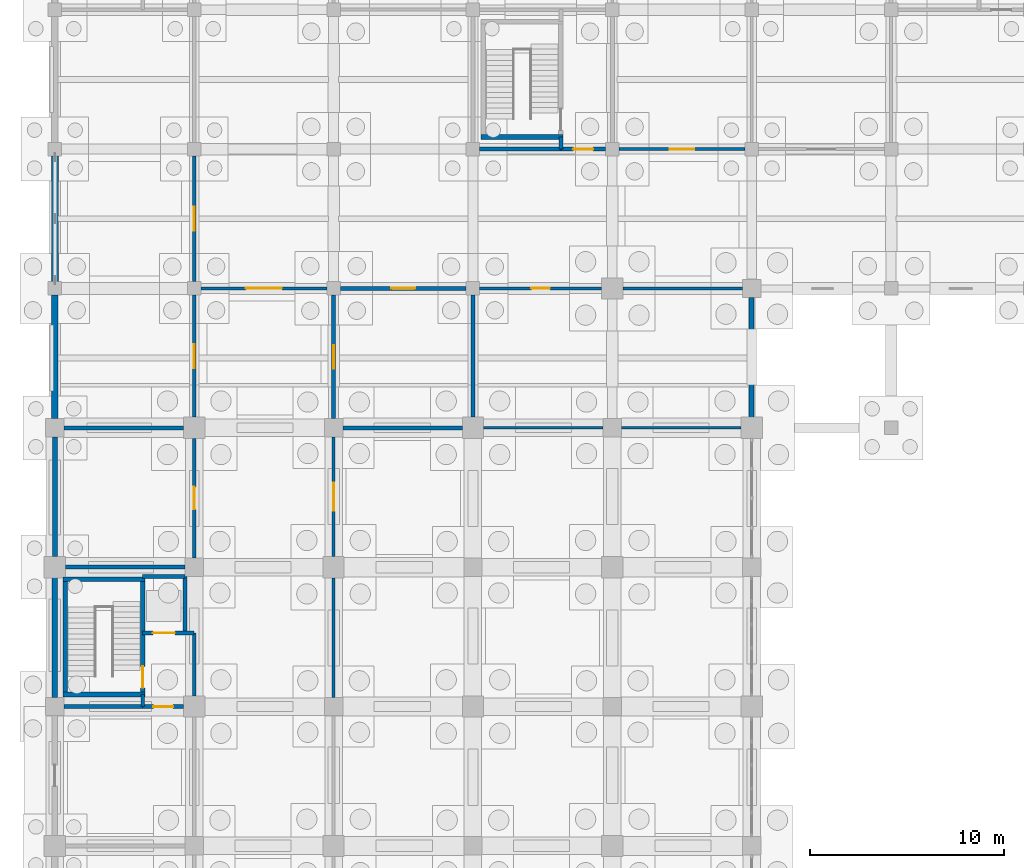
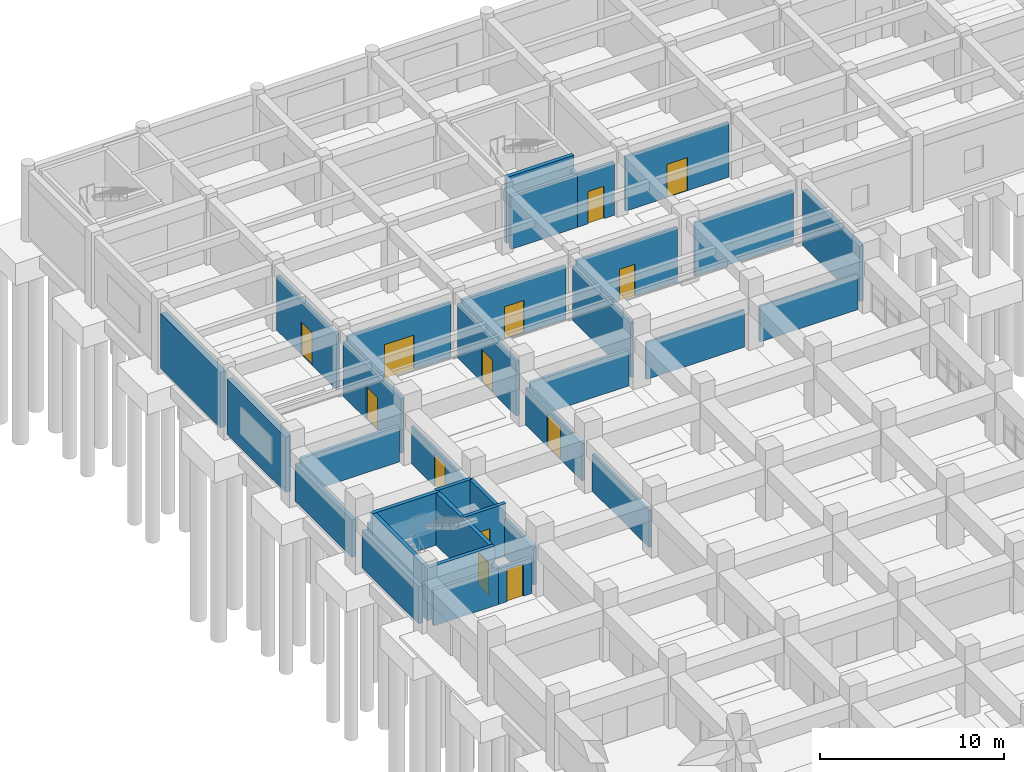
# One storey, part 61 of 79: 37 walls, 13 doors, 13 openings.
"""IFC4 building model written with IfcOpenShell, lengths in metres."""

import ifcopenshell
import ifcopenshell.guid

model = None  # the IFC model being written
_history = None  # IfcOwnerHistory: only IFC2X3 demands one
_inside = {}  # id of a spatial element -> (the spatial element, [elements in it])
_under = {}  # id of a project, library or spatial element -> (it, [spatial elements below it])
_declared = {}  # id of a project -> (the project, [libraries it declares])
_typed = {}  # id of a type object -> (the type object, [elements of that type])
_made_of = {}  # id of a material, layer set ... -> (it, [elements and type objects made of it])


def new_model(schema):
    """Start an empty IFC model of exactly this schema.

    Asked for "IFC4X3", IfcOpenShell would pick the latest addendum, in which some entities
    have other attributes; the version numbers below select the first issue.
    IFC2X3 requires an IfcOwnerHistory on every rooted entity: one is made here for all.
    """
    global model, _history
    if schema == "IFC4X3":
        model = ifcopenshell.file(schema_version=(4, 3, 0, 0))
    else:
        model = ifcopenshell.file(schema=schema)
    _inside.clear()
    _under.clear()
    _declared.clear()
    _typed.clear()
    _made_of.clear()
    _history = None
    if model.schema == "IFC2X3":
        org = make("IfcOrganization", Name="unknown")
        user = make(
            "IfcPersonAndOrganization",
            ThePerson=make("IfcPerson", FamilyName="unknown"),
            TheOrganization=org,
        )
        app = make(
            "IfcApplication",
            ApplicationDeveloper=org,
            Version="unknown",
            ApplicationFullName="unknown",
            ApplicationIdentifier="unknown",
        )
        _history = make(
            "IfcOwnerHistory",
            OwningUser=user,
            OwningApplication=app,
            ChangeAction="ADDED",
            CreationDate=0,
        )
    return model


def make(cls, **values):
    """One entity of the class cls with the attributes given. An attribute that is None is left unset."""
    return model.create_entity(
        cls, **{name: value for name, value in values.items() if value is not None}
    )


def rooted(cls, **values):
    """An entity with a GlobalId (a new one), such as an element, a storey or a relation."""
    return make(cls, GlobalId=ifcopenshell.guid.new(), OwnerHistory=_history, **values)


def si_unit(unit_type, name, prefix=None):
    """IfcSIUnit, for example si_unit("LENGTHUNIT", "METRE", prefix="MILLI")."""
    return make("IfcSIUnit", UnitType=unit_type, Prefix=prefix, Name=name)


def assignment(units):
    """IfcUnitAssignment: the units of a project."""
    return None if units is None else make("IfcUnitAssignment", Units=units)


def point(xyz):
    """IfcCartesianPoint."""
    return None if xyz is None else make("IfcCartesianPoint", Coordinates=xyz)


def direction(xyz):
    """IfcDirection."""
    return None if xyz is None else make("IfcDirection", DirectionRatios=xyz)


def frame(location, z_axis=None, x_axis=None):
    """IfcAxis2Placement3D, a coordinate frame: its origin and axes. An axis left out is left unset."""
    return make(
        "IfcAxis2Placement3D",
        Location=point(location),
        Axis=direction(z_axis),
        RefDirection=direction(x_axis),
    )


def frame_2d(location, x_axis=None):
    """IfcAxis2Placement2D, a coordinate frame in the plane: its origin and x axis."""
    return make(
        "IfcAxis2Placement2D", Location=point(location), RefDirection=direction(x_axis)
    )


def origin():
    """The frame at (0, 0, 0) with its axes left unset."""
    return frame((0.0, 0.0, 0.0))


def place(relative_to, where):
    """IfcLocalPlacement: puts the frame where relative to a parent placement (None: the world)."""
    return make(
        "IfcLocalPlacement", PlacementRelTo=relative_to, RelativePlacement=where
    )


def context(
    kind, dimensions, precision=None, world=None, true_north=None, identifier=None
):
    """IfcGeometricRepresentationContext, for example the 3D "Model" context."""
    return make(
        "IfcGeometricRepresentationContext",
        ContextIdentifier=identifier,
        ContextType=kind,
        CoordinateSpaceDimension=dimensions,
        Precision=precision,
        WorldCoordinateSystem=world,
        TrueNorth=true_north,
    )


def subcontext(parent, identifier, kind, view, scale=None):
    """IfcGeometricRepresentationSubContext, for example "Body" below "Model"."""
    return make(
        "IfcGeometricRepresentationSubContext",
        ContextIdentifier=identifier,
        ContextType=kind,
        ParentContext=parent,
        TargetScale=scale,
        TargetView=view,
    )


def project(units=None, contexts=None):
    """IfcProject with its units and contexts."""
    return rooted(
        "IfcProject",
        Name="project",
        RepresentationContexts=contexts,
        UnitsInContext=assignment(units),
    )


def spatial(cls, under=None, at=None, **own):
    """A site, building, storey or space (cls), placed at a placement, below another one or the project."""
    s = rooted(cls, ObjectPlacement=at, **own)
    if under is not None:
        _under.setdefault(under.id(), (under, []))[1].append(s)
    return s


def profile(cls, at=None, kind="AREA", **sizes):
    """A parametric profile (cls). Its sizes go by their IFC names, for example OverallWidth=200.0."""
    return make(cls, ProfileType=kind, Position=at, **sizes)


def rectangle(**sizes):
    """IfcRectangleProfileDef."""
    return profile("IfcRectangleProfileDef", **sizes)


def extrude(swept, where, along, depth):
    """IfcExtrudedAreaSolid: the profile swept, set in the frame where, extruded along a direction by depth."""
    return make(
        "IfcExtrudedAreaSolid",
        SweptArea=swept,
        Position=where,
        ExtrudedDirection=direction(along),
        Depth=depth,
    )


def shape(context_of_items, identifier, shape_type, items):
    """IfcShapeRepresentation: the items that make up one representation, for example the "Body"."""
    return make(
        "IfcShapeRepresentation",
        ContextOfItems=context_of_items,
        RepresentationIdentifier=identifier,
        RepresentationType=shape_type,
        Items=items,
    )


def material(Name=None, Category=None):
    """IfcMaterial."""
    return make("IfcMaterial", Name=Name, Category=Category)


def layer(
    of_material, thickness, ventilated=None, Name=None, Category=None, Priority=None
):
    """IfcMaterialLayer: one layer of a wall or slab, of a material (None: an air gap)."""
    return make(
        "IfcMaterialLayer",
        Material=of_material,
        LayerThickness=thickness,
        IsVentilated=ventilated,
        Name=Name,
        Category=Category,
        Priority=Priority,
    )


def layer_set(layers, Name=None):
    """IfcMaterialLayerSet."""
    return make("IfcMaterialLayerSet", MaterialLayers=layers, LayerSetName=Name)


def made_of(thing, what):
    """Note that an element or type object is made of a material, layer set ...; save() writes the relation."""
    if what is not None:
        _made_of.setdefault(what.id(), (what, []))[1].append(thing)
    return thing


def type_object(cls, material=None, **own):
    """A type object (cls), such as IfcWallType, which elements share."""
    return made_of(rooted(cls, **own), material)


def element(
    cls,
    number,
    at=None,
    inside=None,
    cuts=None,
    type_object=None,
    material=None,
    context=None,
    identifier="Body",
    shape_type=None,
    held_by="IfcProductDefinitionShape",
    body=None,
    shapes=None,
    **own,
):
    """One element of the class cls, such as IfcWall. Its Tag is "e" and its number.

    at: its placement. inside: the storey or other place that contains it. cuts: it is an
    opening in that element (IfcRelVoidsElement). A single representation is given by context,
    identifier, shape_type and body (its items); several are given by shapes. held_by: the class
    of the entity that holds the representations. save() writes the other relations.
    """
    e = rooted(cls, Tag="e%d" % number, ObjectPlacement=at, **own)
    if body is not None:
        shapes = [shape(context, identifier, shape_type, body)]
    if shapes is not None:
        e.Representation = make(held_by, Representations=shapes)
    if inside is not None:
        _inside.setdefault(inside.id(), (inside, []))[1].append(e)
    if cuts is not None:
        rooted(
            "IfcRelVoidsElement", RelatingBuildingElement=cuts, RelatedOpeningElement=e
        )
    if type_object is not None:
        _typed.setdefault(type_object.id(), (type_object, []))[1].append(e)
    return made_of(e, material)


def fill(opening, filler):
    """IfcRelFillsElement: the door or window that sits in an opening."""
    return rooted(
        "IfcRelFillsElement",
        RelatingOpeningElement=opening,
        RelatedBuildingElement=filler,
    )


def aggregate(whole, parts):
    """IfcRelAggregates: a whole, such as a stair, and the parts it consists of."""
    return rooted("IfcRelAggregates", RelatingObject=whole, RelatedObjects=parts)


def save(model, path):
    """Write the relations noted so far, then the file.

    IfcRelAggregates (storeys below a building ...), IfcRelContainedInSpatialStructure (elements
    in a storey), IfcRelDefinesByType, IfcRelAssociatesMaterial and IfcRelDeclares: one each for
    every whole, place, type object, material and project.
    """
    for whole, parts in _under.values():
        aggregate(whole, parts)
    for where, things in _inside.values():
        rooted(
            "IfcRelContainedInSpatialStructure",
            RelatedElements=things,
            RelatingStructure=where,
        )
    for kind, things in _typed.values():
        rooted("IfcRelDefinesByType", RelatedObjects=things, RelatingType=kind)
    for what, things in _made_of.values():
        rooted("IfcRelAssociatesMaterial", RelatedObjects=things, RelatingMaterial=what)
    for by, libraries in _declared.values():
        rooted("IfcRelDeclares", RelatingContext=by, RelatedDefinitions=libraries)
    model.write(path)


model = new_model("IFC4")

# Units and contexts
model_context = context("Model", 3, precision=1e-05, world=origin(), true_north=direction((0.0, 1.0)))
body_context = subcontext(model_context, "Body", "Model", "MODEL_VIEW")
ifc_project = project(units=[si_unit("LENGTHUNIT", "METRE"), si_unit("AREAUNIT", "SQUARE_METRE"), si_unit("VOLUMEUNIT", "CUBIC_METRE"), si_unit("PLANEANGLEUNIT", "RADIAN"), si_unit("MASSUNIT", "GRAM", prefix="KILO")], contexts=[model_context])

# Site, building, storey
site_placement = place(None, origin())
site = spatial("IfcSite", under=ifc_project, at=site_placement, CompositionType="ELEMENT")
building_placement = place(site_placement, origin())
building = spatial("IfcBuilding", under=site, at=building_placement, Name="Kavelor Marine Aquarium", CompositionType="ELEMENT")
storey_placement = place(building_placement, origin())
storey = spatial("IfcBuildingStorey", under=building, at=storey_placement, Name="L00", CompositionType="ELEMENT", Elevation=0.0)

# Walls
ifc_material_1 = material(Name="Concrete C45/55", Category="concrete")
ifc_layer_1 = layer(ifc_material_1, 0.360107421875)
ifc_layer_set_1 = layer_set([ifc_layer_1], Name="WL-EX1")
wall_type_1 = type_object("IfcWallType", Name="WL-EX1", PredefinedType="STANDARD", material=ifc_layer_set_1)
wall_1_placement = place(storey_placement, frame((3.199951171875, 89.544921875, 0.0), z_axis=(0.0, 0.0, 1.0), x_axis=(0.0, 1.0, 0.0)))
element("IfcWall", 1, at=wall_1_placement, inside=storey, type_object=wall_type_1, Name="ew:y:L00:00_12", PredefinedType="STANDARD", context=body_context, shape_type="SweptSolid", body=[
    extrude(rectangle(XDim=6.510009765625, YDim=0.360107421875, at=frame_2d((3.2548828125, 0.0))), origin(), (0.0, 0.0, 1.0), 3.669921875),
])
ifc_material_2 = material(Name="Concrete C40/50", Category="concrete")
ifc_layer_2 = layer(ifc_material_2, 0.280029296875)
ifc_layer_set_2 = layer_set([ifc_layer_2], Name="WL-EX4")
wall_type_2 = type_object("IfcWallType", Name="WL-EX4", PredefinedType="STANDARD", material=ifc_layer_set_2)
wall_2_placement = place(storey_placement, frame((3.199951171875, 68.070068359375, 0.0), z_axis=(0.0, 0.0, 1.0), x_axis=(0.0, 1.0, 0.0)))
element("IfcWall", 2, at=wall_2_placement, inside=storey, type_object=wall_type_2, Name="ew:y:L00:00_09", PredefinedType="STANDARD", context=body_context, shape_type="SweptSolid", body=[
    extrude(rectangle(XDim=6.184814453125, YDim=0.280029296875, at=frame_2d((3.09228515625, 0.0))), origin(), (0.0, 0.0, 1.0), 2.469970703125),
])
ifc_material_3 = material(Name="Concrete C40/50", Category="concrete")
ifc_layer_3 = layer(ifc_material_3, 0.260009765625)
ifc_layer_set_3 = layer_set([ifc_layer_3], Name="WL-EX5")
wall_type_3 = type_object("IfcWallType", Name="WL-EX5", PredefinedType="STANDARD", material=ifc_layer_set_3)
wall_3_placement = place(storey_placement, frame((3.199951171875, 75.344970703125, 0.0), z_axis=(0.0, 0.0, 1.0), x_axis=(0.0, 1.0, 0.0)))
element("IfcWall", 3, at=wall_3_placement, inside=storey, type_object=wall_type_3, Name="ew:y:L00:00_10", PredefinedType="STANDARD", context=body_context, shape_type="SweptSolid", body=[
    extrude(rectangle(XDim=6.18505859375, YDim=0.260009765625, at=frame_2d((3.092529296875, 0.0))), origin(), (0.0, 0.0, 1.0), 2.469970703125),
])
wall_4_placement = place(storey_placement, frame((39.199951171875, 88.72998046875, 0.0), z_axis=(0.0, 0.0, 1.0), x_axis=(0.0, -1.0, 0.0)))
element("IfcWall", 4, at=wall_4_placement, inside=storey, type_object=wall_type_3, Name="ew:y:L00:05_11", PredefinedType="STANDARD", context=body_context, shape_type="SweptSolid", body=[
    extrude(rectangle(XDim=6.18505859375, YDim=0.260009765625, at=frame_2d((3.092529296875, 0.0))), origin(), (0.0, 0.0, 1.0), 3.669921875),
])
ifc_material_4 = material(Name="Concrete C45/55", Category="concrete")
ifc_layer_4 = layer(ifc_material_4, 0.340087890625)
ifc_layer_set_4 = layer_set([ifc_layer_4], Name="WL-EX6")
wall_type_4 = type_object("IfcWallType", Name="WL-EX6", PredefinedType="STANDARD", material=ifc_layer_set_4)
wall_5_placement = place(storey_placement, frame((3.199951171875, 82.469970703125, 0.0), z_axis=(0.0, 0.0, 1.0), x_axis=(0.0, 1.0, 0.0)))
element("IfcWall", 5, at=wall_5_placement, inside=storey, type_object=wall_type_4, Name="ew:y:L00:00_11", PredefinedType="STANDARD", context=body_context, shape_type="SweptSolid", body=[
    extrude(rectangle(XDim=6.385009765625, YDim=0.340087890625, at=frame_2d((3.1923828125, 0.0))), origin(), (0.0, 0.0, 1.0), 3.669921875),
])
ifc_material_5 = material(Name="Concrete Blockwork Partition", Category="masonry")
ifc_layer_5 = layer(ifc_material_5, 0.199951171875)
ifc_layer_set_5 = layer_set([ifc_layer_5], Name="WL-PT1")
wall_type_5 = type_object("IfcWallType", Name="WL-PT1", PredefinedType="PARTITIONING", material=ifc_layer_set_5)
wall_6_placement = place(storey_placement, frame((29.340087890625, 96.39990234375, 0.0), z_axis=(0.0, 0.0, 1.0), x_axis=(0.0, 1.0, 0.0)))
element("IfcWall", 6, at=wall_6_placement, inside=storey, type_object=wall_type_5, Name="pt:st_close:s:C02:L00", PredefinedType="PARTITIONING", context=body_context, shape_type="SweptSolid", body=[
    extrude(rectangle(XDim=0.6201171875, YDim=0.199951171875, at=frame_2d((0.31005859375, 0.0))), origin(), (0.0, 0.0, 1.0), 3.52001953125),
])
wall_7_placement = place(storey_placement, frame((25.14990234375, 96.39990234375, 0.0), z_axis=(0.0, 0.0, 1.0), x_axis=(1.0, 0.0, 0.0)))
element("IfcWall", 7, at=wall_7_placement, inside=storey, type_object=wall_type_5, Name="pt:lob:C02:L00:s_st", PredefinedType="PARTITIONING", context=body_context, shape_type="SweptSolid", body=[
    extrude(rectangle(XDim=4.190185546875, YDim=0.199951171875, at=frame_2d((2.09521484375, 0.0))), origin(), (0.0, 0.0, 1.0), 3.52001953125),
])

# Wall, opening, door
wall_8_placement = place(storey_placement, frame((29.340087890625, 96.39990234375, 0.0), z_axis=(0.0, 0.0, 1.0), x_axis=(1.0, 0.0, 0.0)))
wall_8 = element("IfcWall", 8, at=wall_8_placement, inside=storey, type_object=wall_type_5, Name="pt:lob:C02:L00:s", PredefinedType="PARTITIONING", context=body_context, shape_type="SweptSolid", body=[
    extrude(rectangle(XDim=2.309814453125, YDim=0.199951171875, at=frame_2d((1.15478515625, 0.0))), origin(), (0.0, 0.0, 1.0), 3.52001953125),
])
opening_1_placement = place(wall_8_placement, frame((0.64501953125, 0.0, 0.0)))
opening_1 = element("IfcOpeningElement", 9, at=opening_1_placement, cuts=wall_8, Name="Opening SD1", PredefinedType="OPENING", context=body_context, shape_type="SweptSolid", body=[
    extrude(rectangle(XDim=1.02001953125, YDim=2.14990234375, at=frame_2d((0.510009765625, 1.074951171875))), frame((0.0, 0.10986328125, 0.0), z_axis=(0.0, -1.0, 0.0), x_axis=(1.0, 0.0, 0.0)), (0.0, 0.0, 1.0), 0.219951),
])
ifc_material_6 = material(Name="Fire-Rated Corridor Compartment Door")
door_type_1 = type_object("IfcDoorType", Name="DR-SD1", OperationType="NOTDEFINED", PredefinedType="DOOR", material=ifc_material_6)
door_1_placement = place(opening_1_placement, origin())
door_1 = element("IfcDoor", 10, at=door_1_placement, inside=storey, type_object=door_type_1, Name="Core Lobby Fire Door C02-L00", OperationType="SINGLE_SWING_RIGHT", OverallHeight=2.14990234375, OverallWidth=1.02001953125, PredefinedType="DOOR", context=body_context, shape_type="SweptSolid", body=[
    extrude(rectangle(XDim=1.02001953125, YDim=2.14990234375, at=frame_2d((0.510009765625, 1.074951171875))), frame((0.0, 0.02490234375, 0.0), z_axis=(0.0, -1.0, 0.0), x_axis=(1.0, 0.0, 0.0)), (0.0, 0.0, 1.0), 0.050048828125),
])
fill(opening_1, door_1)

# Walls
wall_9_placement = place(storey_placement, frame((7.739990234375, 67.60009765625, 0.0), z_axis=(0.0, 0.0, 1.0), x_axis=(0.0, 1.0, 0.0)))
element("IfcWall", 11, at=wall_9_placement, inside=storey, type_object=wall_type_5, Name="pt:st_close:s:C03:L00", PredefinedType="PARTITIONING", context=body_context, shape_type="SweptSolid", body=[
    extrude(rectangle(XDim=0.619873046875, YDim=0.199951171875, at=frame_2d((0.31005859375, 0.0))), origin(), (0.0, 0.0, 1.0), 2.3701171875),
])
wall_10_placement = place(storey_placement, frame((10.39990234375, 68.14990234375, 0.0), z_axis=(0.0, 0.0, 1.0), x_axis=(0.0, 1.0, 0.0)))
element("IfcWall", 12, at=wall_10_placement, inside=storey, type_object=wall_type_5, Name="pt:lob:C03:L00:e", PredefinedType="PARTITIONING", context=body_context, shape_type="SweptSolid", body=[
    extrude(rectangle(XDim=3.25, YDim=0.199951171875, at=frame_2d((1.625, 0.0))), origin(), (0.0, 0.0, 1.0), 2.469970703125),
])
wall_11_placement = place(storey_placement, frame((3.675048828125, 67.60009765625, 0.0), z_axis=(0.0, 0.0, 1.0), x_axis=(1.0, 0.0, 0.0)))
element("IfcWall", 13, at=wall_11_placement, inside=storey, type_object=wall_type_5, Name="pt:lob:C03:L00:s_st", PredefinedType="PARTITIONING", context=body_context, shape_type="SweptSolid", body=[
    extrude(rectangle(XDim=4.06494140625, YDim=0.199951171875, at=frame_2d((2.032470703125, 0.0))), origin(), (0.0, 0.0, 1.0), 2.3701171875),
])

# Wall, opening, door
wall_12_placement = place(storey_placement, frame((7.739990234375, 67.60009765625, 0.0), z_axis=(0.0, 0.0, 1.0), x_axis=(1.0, 0.0, 0.0)))
wall_12 = element("IfcWall", 14, at=wall_12_placement, inside=storey, type_object=wall_type_5, Name="pt:lob:C03:L00:s", PredefinedType="PARTITIONING", context=body_context, shape_type="SweptSolid", body=[
    extrude(rectangle(XDim=2.110107421875, YDim=0.199951171875, at=frame_2d((1.05517578125, 0.0))), origin(), (0.0, 0.0, 1.0), 2.3701171875),
])
opening_2_placement = place(wall_12_placement, frame((0.544921875, 0.0, 0.0)))
opening_2 = element("IfcOpeningElement", 15, at=opening_2_placement, cuts=wall_12, Name="Opening SD1", PredefinedType="OPENING", context=body_context, shape_type="SweptSolid", body=[
    extrude(rectangle(XDim=1.02001953125, YDim=2.14990234375, at=frame_2d((0.510009765625, 1.074951171875))), frame((0.0, 0.10986328125, 0.0), z_axis=(0.0, -1.0, 0.0), x_axis=(1.0, 0.0, 0.0)), (0.0, 0.0, 1.0), 0.219951),
])
door_2_placement = place(opening_2_placement, origin())
door_2 = element("IfcDoor", 16, at=door_2_placement, inside=storey, type_object=door_type_1, Name="Core Lobby Fire Door C03-L00", OperationType="SINGLE_SWING_RIGHT", OverallHeight=2.14990234375, OverallWidth=1.02001953125, PredefinedType="DOOR", context=body_context, shape_type="SweptSolid", body=[
    extrude(rectangle(XDim=1.02001953125, YDim=2.14990234375, at=frame_2d((0.510009765625, 1.074951171875))), frame((0.0, 0.02490234375, 0.0), z_axis=(0.0, -1.0, 0.0), x_axis=(1.0, 0.0, 0.0)), (0.0, 0.0, 1.0), 0.050048828125),
])
fill(opening_2, door_2)

# Walls
for number, where, z_axis, x_axis, name in (
    (17, (3.75, 74.800048828125, 0.0), (0.0, 0.0, 1.0), (1.0, 0.0, 0.0), "pt:lob:C03:L00:n_full"),
    (18, (3.675048828125, 82.0, 0.0), (0.0, 0.0, 1.0), (1.0, 0.0, 0.0), "pt:x:L00:00_10"),
):
    element("IfcWall", number, at=place(storey_placement, frame(where, z_axis=z_axis, x_axis=x_axis)), inside=storey, type_object=wall_type_5, Name=name, PredefinedType="PARTITIONING", context=body_context, shape_type="SweptSolid", body=[
        extrude(rectangle(XDim=6.175048828125, YDim=0.199951171875, at=frame_2d((3.08740234375, 0.0))), origin(), (0.0, 0.0, 1.0), 2.3701171875),
    ])

# Wall, opening, door
wall_13_placement = place(storey_placement, frame((10.39990234375, 82.550048828125, 0.0), z_axis=(0.0, 0.0, 1.0), x_axis=(0.0, 1.0, 0.0)))
wall_13 = element("IfcWall", 19, at=wall_13_placement, inside=storey, type_object=wall_type_5, Name="pt:y:L00:00_11", PredefinedType="PARTITIONING", context=body_context, shape_type="SweptSolid", body=[
    extrude(rectangle(XDim=6.300048828125, YDim=0.199951171875, at=frame_2d((3.14990234375, 0.0))), origin(), (0.0, 0.0, 1.0), 3.6201171875),
])
opening_3_placement = place(wall_13_placement, frame((2.5400390625, 0.0, 0.0)))
opening_3 = element("IfcOpeningElement", 20, at=opening_3_placement, cuts=wall_13, Name="Opening D06", PredefinedType="OPENING", context=body_context, shape_type="SweptSolid", body=[
    extrude(rectangle(XDim=1.219970703125, YDim=2.159912109375, at=frame_2d((0.60986328125, 1.080078125))), frame((0.0, 0.10986328125, 0.0), z_axis=(0.0, -1.0, 0.0), x_axis=(1.0, 0.0, 0.0)), (0.0, 0.0, 1.0), 0.219951),
])
ifc_material_7 = material(Name="Biosecure Quarantine Plant Room Door")
door_type_2 = type_object("IfcDoorType", Name="DR-D06", OperationType="NOTDEFINED", PredefinedType="DOOR", material=ifc_material_7)
door_3_placement = place(opening_3_placement, origin())
door_3 = element("IfcDoor", 21, at=door_3_placement, inside=storey, type_object=door_type_2, Name="dr:rm:pt:y:L00:00_11:0", OperationType="SINGLE_SWING_LEFT", OverallHeight=2.159912109375, OverallWidth=1.219970703125, PredefinedType="DOOR", context=body_context, shape_type="SweptSolid", body=[
    extrude(rectangle(XDim=1.219970703125, YDim=2.159912109375, at=frame_2d((0.60986328125, 1.080078125))), frame((0.0, 0.02490234375, 0.0), z_axis=(0.0, -1.0, 0.0), x_axis=(1.0, 0.0, 0.0)), (0.0, 0.0, 1.0), 0.050048828125),
])
fill(opening_3, door_3)

wall_14_placement = place(storey_placement, frame((10.39990234375, 89.550048828125, 0.0), z_axis=(0.0, 0.0, 1.0), x_axis=(0.0, 1.0, 0.0)))
wall_14 = element("IfcWall", 22, at=wall_14_placement, inside=storey, type_object=wall_type_5, Name="pt:y:L00:00_12", PredefinedType="PARTITIONING", context=body_context, shape_type="SweptSolid", body=[
    extrude(rectangle(XDim=6.5, YDim=0.199951171875, at=frame_2d((3.25, 0.0))), origin(), (0.0, 0.0, 1.0), 3.6201171875),
])
opening_4_placement = place(wall_14_placement, frame((2.639892578125, 0.0, 0.0)))
opening_4 = element("IfcOpeningElement", 23, at=opening_4_placement, cuts=wall_14, Name="Opening D06", PredefinedType="OPENING", context=body_context, shape_type="SweptSolid", body=[
    extrude(rectangle(XDim=1.219970703125, YDim=2.159912109375, at=frame_2d((0.60986328125, 1.080078125))), frame((0.0, 0.10986328125, 0.0), z_axis=(0.0, -1.0, 0.0), x_axis=(1.0, 0.0, 0.0)), (0.0, 0.0, 1.0), 0.219951),
])
door_4_placement = place(opening_4_placement, origin())
door_4 = element("IfcDoor", 24, at=door_4_placement, inside=storey, type_object=door_type_2, Name="dr:rm:pt:y:L00:00_12:0", OperationType="SINGLE_SWING_RIGHT", OverallHeight=2.159912109375, OverallWidth=1.219970703125, PredefinedType="DOOR", context=body_context, shape_type="SweptSolid", body=[
    extrude(rectangle(XDim=1.219970703125, YDim=2.159912109375, at=frame_2d((0.60986328125, 1.080078125))), frame((0.0, 0.02490234375, 0.0), z_axis=(0.0, -1.0, 0.0), x_axis=(1.0, 0.0, 0.0)), (0.0, 0.0, 1.0), 0.050048828125),
])
fill(opening_4, door_4)

wall_15_placement = place(storey_placement, frame((17.60009765625, 82.47509765625, 0.0), z_axis=(0.0, 0.0, 1.0), x_axis=(0.0, 1.0, 0.0)))
wall_15 = element("IfcWall", 25, at=wall_15_placement, inside=storey, type_object=wall_type_5, Name="pt:y:L00:01_11", PredefinedType="PARTITIONING", context=body_context, shape_type="SweptSolid", body=[
    extrude(rectangle(XDim=6.375, YDim=0.199951171875, at=frame_2d((3.1875, 0.0))), origin(), (0.0, 0.0, 1.0), 3.6201171875),
])
opening_5_placement = place(wall_15_placement, frame((2.577392578125, 0.0, 0.0)))
opening_5 = element("IfcOpeningElement", 26, at=opening_5_placement, cuts=wall_15, Name="Opening D06", PredefinedType="OPENING", context=body_context, shape_type="SweptSolid", body=[
    extrude(rectangle(XDim=1.219970703125, YDim=2.159912109375, at=frame_2d((0.60986328125, 1.080078125))), frame((0.0, 0.10986328125, 0.0), z_axis=(0.0, -1.0, 0.0), x_axis=(1.0, 0.0, 0.0)), (0.0, 0.0, 1.0), 0.219951),
])
door_5_placement = place(opening_5_placement, origin())
door_5 = element("IfcDoor", 27, at=door_5_placement, inside=storey, type_object=door_type_2, Name="dr:rm:pt:y:L00:01_11:0", OperationType="SINGLE_SWING_LEFT", OverallHeight=2.159912109375, OverallWidth=1.219970703125, PredefinedType="DOOR", context=body_context, shape_type="SweptSolid", body=[
    extrude(rectangle(XDim=1.219970703125, YDim=2.159912109375, at=frame_2d((0.60986328125, 1.080078125))), frame((0.0, 0.02490234375, 0.0), z_axis=(0.0, -1.0, 0.0), x_axis=(1.0, 0.0, 0.0)), (0.0, 0.0, 1.0), 0.050048828125),
])
fill(opening_5, door_5)

# Walls
wall_16_placement = place(storey_placement, frame((18.074951171875, 82.0, 0.0), z_axis=(0.0, 0.0, 1.0), x_axis=(1.0, 0.0, 0.0)))
element("IfcWall", 28, at=wall_16_placement, inside=storey, type_object=wall_type_5, Name="pt:x:L00:02_10", PredefinedType="PARTITIONING", context=body_context, shape_type="SweptSolid", body=[
    extrude(rectangle(XDim=6.175048828125, YDim=0.199951171875, at=frame_2d((3.08740234375, 0.0))), origin(), (0.0, 0.0, 1.0), 2.3701171875),
])
wall_17_placement = place(storey_placement, frame((24.800048828125, 82.550048828125, 0.0), z_axis=(0.0, 0.0, 1.0), x_axis=(0.0, 1.0, 0.0)))
element("IfcWall", 29, at=wall_17_placement, inside=storey, type_object=wall_type_5, Name="pt:y:L00:02_11", PredefinedType="PARTITIONING", context=body_context, shape_type="SweptSolid", body=[
    extrude(rectangle(XDim=6.300048828125, YDim=0.199951171875, at=frame_2d((3.14990234375, 0.0))), origin(), (0.0, 0.0, 1.0), 3.6201171875),
])

# Wall, opening, door
wall_18_placement = place(storey_placement, frame((17.949951171875, 89.199951171875, 0.0), z_axis=(0.0, 0.0, 1.0), x_axis=(1.0, 0.0, 0.0)))
wall_18 = element("IfcWall", 30, at=wall_18_placement, inside=storey, type_object=wall_type_5, Name="pt:x:L00:02_11", PredefinedType="PARTITIONING", context=body_context, shape_type="SweptSolid", body=[
    extrude(rectangle(XDim=6.5, YDim=0.199951171875, at=frame_2d((3.25, 0.0))), origin(), (0.0, 0.0, 1.0), 3.52001953125),
])
opening_6_placement = place(wall_18_placement, frame((2.639892578125, 0.0, 0.0)))
opening_6 = element("IfcOpeningElement", 31, at=opening_6_placement, cuts=wall_18, Name="Opening D06", PredefinedType="OPENING", context=body_context, shape_type="SweptSolid", body=[
    extrude(rectangle(XDim=1.219970703125, YDim=2.159912109375, at=frame_2d((0.60986328125, 1.080078125))), frame((0.0, 0.10986328125, 0.0), z_axis=(0.0, -1.0, 0.0), x_axis=(1.0, 0.0, 0.0)), (0.0, 0.0, 1.0), 0.219951),
])
door_6_placement = place(opening_6_placement, origin())
door_6 = element("IfcDoor", 32, at=door_6_placement, inside=storey, type_object=door_type_2, Name="dr:rm:pt:x:L00:02_11:0", OperationType="SINGLE_SWING_RIGHT", OverallHeight=2.159912109375, OverallWidth=1.219970703125, PredefinedType="DOOR", context=body_context, shape_type="SweptSolid", body=[
    extrude(rectangle(XDim=1.219970703125, YDim=2.159912109375, at=frame_2d((0.60986328125, 1.080078125))), frame((0.0, 0.02490234375, 0.0), z_axis=(0.0, -1.0, 0.0), x_axis=(1.0, 0.0, 0.0)), (0.0, 0.0, 1.0), 0.050048828125),
])
fill(opening_6, door_6)

ifc_material_8 = material(Name="Acoustic Gypsum Stud Partition")
ifc_layer_6 = layer(ifc_material_8, 0.159912109375)
ifc_layer_set_6 = layer_set([ifc_layer_6], Name="WL-PT2")
wall_type_6 = type_object("IfcWallType", Name="WL-PT2", PredefinedType="PARTITIONING", material=ifc_layer_set_6)
wall_19_placement = place(storey_placement, frame((10.39990234375, 75.27490234375, 0.0), z_axis=(0.0, 0.0, 1.0), x_axis=(0.0, 1.0, 0.0)))
wall_19 = element("IfcWall", 33, at=wall_19_placement, inside=storey, type_object=wall_type_6, Name="pt:y:L00:00_10", PredefinedType="PARTITIONING", context=body_context, shape_type="SweptSolid", body=[
    extrude(rectangle(XDim=6.175048828125, YDim=0.159912109375, at=frame_2d((3.08740234375, 0.0))), origin(), (0.0, 0.0, 1.0), 2.469970703125),
])
opening_7_placement = place(wall_19_placement, frame((2.507568359375, 0.0, 0.0)))
opening_7 = element("IfcOpeningElement", 34, at=opening_7_placement, cuts=wall_19, Name="Opening D09", PredefinedType="OPENING", context=body_context, shape_type="SweptSolid", body=[
    extrude(rectangle(XDim=1.159912109375, YDim=2.179931640625, at=frame_2d((0.580078125, 1.08984375))), frame((0.0, 0.08984375, 0.0), z_axis=(0.0, -1.0, 0.0), x_axis=(1.0, 0.0, 0.0)), (0.0, 0.0, 1.0), 0.179912),
])
ifc_material_9 = material(Name="Husbandry Prep Marine Door")
door_type_3 = type_object("IfcDoorType", Name="DR-D09", OperationType="NOTDEFINED", PredefinedType="DOOR", material=ifc_material_9)
door_7_placement = place(opening_7_placement, origin())
door_7 = element("IfcDoor", 35, at=door_7_placement, inside=storey, type_object=door_type_3, Name="dr:rm:pt:y:L00:00_10:0", OperationType="SINGLE_SWING_RIGHT", OverallHeight=2.179931640625, OverallWidth=1.159912109375, PredefinedType="DOOR", context=body_context, shape_type="SweptSolid", body=[
    extrude(rectangle(XDim=1.159912109375, YDim=2.179931640625, at=frame_2d((0.580078125, 1.08984375))), frame((0.0, 0.02490234375, 0.0), z_axis=(0.0, -1.0, 0.0), x_axis=(1.0, 0.0, 0.0)), (0.0, 0.0, 1.0), 0.050048828125),
])
fill(opening_7, door_7)

# Wall
wall_20_placement = place(storey_placement, frame((17.60009765625, 68.074951171875, 0.0), z_axis=(0.0, 0.0, 1.0), x_axis=(0.0, 1.0, 0.0)))
element("IfcWall", 36, at=wall_20_placement, inside=storey, type_object=wall_type_6, Name="pt:y:L00:01_09", PredefinedType="PARTITIONING", context=body_context, shape_type="SweptSolid", body=[
    extrude(rectangle(XDim=6.175048828125, YDim=0.159912109375, at=frame_2d((3.08740234375, 0.0))), origin(), (0.0, 0.0, 1.0), 2.469970703125),
])

# Wall, opening, door
wall_21_placement = place(storey_placement, frame((17.60009765625, 75.35009765625, 0.0), z_axis=(0.0, 0.0, 1.0), x_axis=(0.0, 1.0, 0.0)))
wall_21 = element("IfcWall", 37, at=wall_21_placement, inside=storey, type_object=wall_type_6, Name="pt:y:L00:01_10", PredefinedType="PARTITIONING", context=body_context, shape_type="SweptSolid", body=[
    extrude(rectangle(XDim=6.1748046875, YDim=0.159912109375, at=frame_2d((3.08740234375, 0.0))), origin(), (0.0, 0.0, 1.0), 2.469970703125),
])
opening_8_placement = place(wall_21_placement, frame((2.367431640625, 0.0, 0.0)))
opening_8 = element("IfcOpeningElement", 38, at=opening_8_placement, cuts=wall_21, Name="Opening D11", PredefinedType="OPENING", context=body_context, shape_type="SweptSolid", body=[
    extrude(rectangle(XDim=1.43994140625, YDim=2.199951171875, at=frame_2d((0.719970703125, 1.10009765625))), frame((0.0, 0.08984375, 0.0), z_axis=(0.0, -1.0, 0.0), x_axis=(1.0, 0.0, 0.0)), (0.0, 0.0, 1.0), 0.179912),
])
ifc_material_10 = material(Name="Seminar Studio Double Door")
door_type_4 = type_object("IfcDoorType", Name="DR-D11", OperationType="NOTDEFINED", PredefinedType="DOOR", material=ifc_material_10)
door_8_placement = place(opening_8_placement, origin())
door_8 = element("IfcDoor", 39, at=door_8_placement, inside=storey, type_object=door_type_4, Name="dr:rm:pt:y:L00:01_10:1", OperationType="DOUBLE_DOOR_SINGLE_SWING", OverallHeight=2.199951171875, OverallWidth=1.43994140625, PredefinedType="DOOR", context=body_context, shape_type="SweptSolid", body=[
    extrude(rectangle(XDim=1.43994140625, YDim=2.199951171875, at=frame_2d((0.719970703125, 1.10009765625))), frame((0.0, 0.02490234375, 0.0), z_axis=(0.0, -1.0, 0.0), x_axis=(1.0, 0.0, 0.0)), (0.0, 0.0, 1.0), 0.050048828125),
])
fill(opening_8, door_8)

wall_22_placement = place(storey_placement, frame((10.75, 89.199951171875, 0.0), z_axis=(0.0, 0.0, 1.0), x_axis=(1.0, 0.0, 0.0)))
wall_22 = element("IfcWall", 40, at=wall_22_placement, inside=storey, type_object=wall_type_6, Name="pt:x:L00:01_11", PredefinedType="PARTITIONING", context=body_context, shape_type="SweptSolid", body=[
    extrude(rectangle(XDim=6.5, YDim=0.159912109375, at=frame_2d((3.25, 0.0))), origin(), (0.0, 0.0, 1.0), 3.6201171875),
])
opening_9_placement = place(wall_22_placement, frame((2.320068359375, 0.0, 0.0)))
opening_9 = element("IfcOpeningElement", 41, at=opening_9_placement, cuts=wall_22, Name="Opening D13", PredefinedType="OPENING", context=body_context, shape_type="SweptSolid", body=[
    extrude(rectangle(XDim=1.860107421875, YDim=2.260009765625, at=frame_2d((0.93017578125, 1.1298828125))), frame((0.0, 0.08984375, 0.0), z_axis=(0.0, -1.0, 0.0), x_axis=(1.0, 0.0, 0.0)), (0.0, 0.0, 1.0), 0.179912),
])
ifc_material_11 = material(Name="Main Foyer Exhibition Double Door")
door_type_5 = type_object("IfcDoorType", Name="DR-D13", OperationType="NOTDEFINED", PredefinedType="DOOR", material=ifc_material_11)
door_9_placement = place(opening_9_placement, origin())
door_9 = element("IfcDoor", 42, at=door_9_placement, inside=storey, type_object=door_type_5, Name="dr:rm:pt:x:L00:01_11:0", OperationType="DOUBLE_DOOR_SINGLE_SWING", OverallHeight=2.260009765625, OverallWidth=1.860107421875, PredefinedType="DOOR", context=body_context, shape_type="SweptSolid", body=[
    extrude(rectangle(XDim=1.860107421875, YDim=2.260009765625, at=frame_2d((0.93017578125, 1.1298828125))), frame((0.0, 0.02490234375, 0.0), z_axis=(0.0, -1.0, 0.0), x_axis=(1.0, 0.0, 0.0)), (0.0, 0.0, 1.0), 0.050048828125),
])
fill(opening_9, door_9)

wall_23_placement = place(storey_placement, frame((25.14990234375, 89.199951171875, 0.0), z_axis=(0.0, 0.0, 1.0), x_axis=(1.0, 0.0, 0.0)))
wall_23 = element("IfcWall", 43, at=wall_23_placement, inside=storey, type_object=wall_type_6, Name="pt:x:L00:03_11", PredefinedType="PARTITIONING", context=body_context, shape_type="SweptSolid", body=[
    extrude(rectangle(XDim=6.300048828125, YDim=0.159912109375, at=frame_2d((3.14990234375, 0.0))), origin(), (0.0, 0.0, 1.0), 3.6201171875),
])
opening_10_placement = place(wall_23_placement, frame((2.669921875, 0.0, 0.0)))
opening_10 = element("IfcOpeningElement", 44, at=opening_10_placement, cuts=wall_23, Name="Opening D01", PredefinedType="OPENING", context=body_context, shape_type="SweptSolid", body=[
    extrude(rectangle(XDim=0.9599609375, YDim=2.10009765625, at=frame_2d((0.47998046875, 1.050048828125))), frame((0.0, 0.08984375, 0.0), z_axis=(0.0, -1.0, 0.0), x_axis=(1.0, 0.0, 0.0)), (0.0, 0.0, 1.0), 0.179912),
])
ifc_material_12 = material(Name="Solid-Core Acoustic Timber Laboratory Door", Category="wood")
door_type_6 = type_object("IfcDoorType", Name="DR-D01", OperationType="NOTDEFINED", PredefinedType="DOOR", material=ifc_material_12)
door_10_placement = place(opening_10_placement, origin())
door_10 = element("IfcDoor", 45, at=door_10_placement, inside=storey, type_object=door_type_6, Name="dr:rm:pt:x:L00:03_11:0", OperationType="SINGLE_SWING_RIGHT", OverallHeight=2.10009765625, OverallWidth=0.9599609375, PredefinedType="DOOR", context=body_context, shape_type="SweptSolid", body=[
    extrude(rectangle(XDim=0.9599609375, YDim=2.10009765625, at=frame_2d((0.47998046875, 1.050048828125))), frame((0.0, 0.02490234375, 0.0), z_axis=(0.0, -1.0, 0.0), x_axis=(1.0, 0.0, 0.0)), (0.0, 0.0, 1.0), 0.050048828125),
])
fill(opening_10, door_10)

# Wall
wall_24_placement = place(storey_placement, frame((32.550048828125, 89.199951171875, 0.0), z_axis=(0.0, 0.0, 1.0), x_axis=(1.0, 0.0, 0.0)))
element("IfcWall", 46, at=wall_24_placement, inside=storey, type_object=wall_type_6, Name="pt:x:L00:04_11", PredefinedType="PARTITIONING", context=body_context, shape_type="SweptSolid", body=[
    extrude(rectangle(XDim=6.175048828125, YDim=0.159912109375, at=frame_2d((3.08740234375, 0.0))), origin(), (0.0, 0.0, 1.0), 3.52001953125),
])

# Wall, opening, door
wall_25_placement = place(storey_placement, frame((32.35009765625, 96.39990234375, 0.0), z_axis=(0.0, 0.0, 1.0), x_axis=(1.0, 0.0, 0.0)))
wall_25 = element("IfcWall", 47, at=wall_25_placement, inside=storey, type_object=wall_type_6, Name="pt:x:L00:04_12", PredefinedType="PARTITIONING", context=body_context, shape_type="SweptSolid", body=[
    extrude(rectangle(XDim=6.5, YDim=0.159912109375, at=frame_2d((3.25, 0.0))), origin(), (0.0, 0.0, 1.0), 3.6201171875),
])
opening_11_placement = place(wall_25_placement, frame((2.610107421875, 0.0, 0.0)))
opening_11 = element("IfcOpeningElement", 48, at=opening_11_placement, cuts=wall_25, Name="Opening D10", PredefinedType="OPENING", context=body_context, shape_type="SweptSolid", body=[
    extrude(rectangle(XDim=1.280029296875, YDim=2.199951171875, at=frame_2d((0.64013671875, 1.10009765625))), frame((0.0, 0.08984375, 0.0), z_axis=(0.0, -1.0, 0.0), x_axis=(1.0, 0.0, 0.0)), (0.0, 0.0, 1.0), 0.179912),
])
ifc_material_13 = material(Name="Equipment Store Wide Leaf Door")
door_type_7 = type_object("IfcDoorType", Name="DR-D10", OperationType="NOTDEFINED", PredefinedType="DOOR", material=ifc_material_13)
door_11_placement = place(opening_11_placement, origin())
door_11 = element("IfcDoor", 49, at=door_11_placement, inside=storey, type_object=door_type_7, Name="dr:rm:pt:x:L00:04_12:0", OperationType="SINGLE_SWING_LEFT", OverallHeight=2.199951171875, OverallWidth=1.280029296875, PredefinedType="DOOR", context=body_context, shape_type="SweptSolid", body=[
    extrude(rectangle(XDim=1.280029296875, YDim=2.199951171875, at=frame_2d((0.64013671875, 1.10009765625))), frame((0.0, 0.02490234375, 0.0), z_axis=(0.0, -1.0, 0.0), x_axis=(1.0, 0.0, 0.0)), (0.0, 0.0, 1.0), 0.050048828125),
])
fill(opening_11, door_11)

# Walls
ifc_material_14 = material(Name="Lightweight Drywall Partition")
ifc_layer_7 = layer(ifc_material_14, 0.1201171875)
ifc_layer_set_7 = layer_set([ifc_layer_7], Name="WL-PT4")
wall_type_7 = type_object("IfcWallType", Name="WL-PT4", PredefinedType="PARTITIONING", material=ifc_layer_set_7)
wall_26_placement = place(storey_placement, frame((25.35009765625, 82.0, 0.0), z_axis=(0.0, 0.0, 1.0), x_axis=(1.0, 0.0, 0.0)))
element("IfcWall", 50, at=wall_26_placement, inside=storey, type_object=wall_type_7, Name="pt:x:L00:03_10", PredefinedType="PARTITIONING", context=body_context, shape_type="SweptSolid", body=[
    extrude(rectangle(XDim=6.1748046875, YDim=0.1201171875, at=frame_2d((3.08740234375, 0.0))), origin(), (0.0, 0.0, 1.0), 2.469970703125),
])
wall_27_placement = place(storey_placement, frame((32.47509765625, 82.0, 0.0), z_axis=(0.0, 0.0, 1.0), x_axis=(1.0, 0.0, 0.0)))
element("IfcWall", 51, at=wall_27_placement, inside=storey, type_object=wall_type_7, Name="pt:x:L00:04_10", PredefinedType="PARTITIONING", context=body_context, shape_type="SweptSolid", body=[
    extrude(rectangle(XDim=6.1748046875, YDim=0.1201171875, at=frame_2d((3.08740234375, 0.0))), origin(), (0.0, 0.0, 1.0), 2.3701171875),
])
ifc_material_15 = material(Name="Concrete C40/50", Category="concrete")
ifc_layer_8 = layer(ifc_material_15, 0.35009765625)
ifc_layer_set_8 = layer_set([ifc_layer_8], Name="WL-SW2")
wall_type_8 = type_object("IfcWallType", Name="WL-SW2", PredefinedType="SHEAR", material=ifc_layer_set_8)
wall_28_placement = place(storey_placement, frame((25.219970703125, 97.02001953125, 0.0), z_axis=(0.0, 0.0, 1.0), x_axis=(1.0, 0.0, 0.0)))
element("IfcWall", 52, at=wall_28_placement, inside=storey, type_object=wall_type_8, Name="cw_st:s:C02:L00", PredefinedType="SHEAR", context=body_context, shape_type="SweptSolid", body=[
    extrude(rectangle(XDim=4.239990234375, YDim=0.239990234375, at=frame_2d((2.1201171875, 0.0))), origin(), (0.0, 0.0, 1.0), 4.3798828125),
])
for number, where, z_axis, x_axis, name in (
    (53, (3.6201171875, 68.219970703125, 0.0), (0.0, 0.0, 1.0), (1.0, 0.0, 0.0), "cw_st:s:C03:L00"),
    (54, (3.6201171875, 74.179931640625, 0.0), (0.0, 0.0, 1.0), (1.0, 0.0, 0.0), "cw_st:n:C03:L00"),
):
    element("IfcWall", number, at=place(storey_placement, frame(where, z_axis=z_axis, x_axis=x_axis)), inside=storey, type_object=wall_type_8, Name=name, PredefinedType="SHEAR", context=body_context, shape_type="SweptSolid", body=[
        extrude(rectangle(XDim=4.239990234375, YDim=0.239990234375, at=frame_2d((2.1201171875, 0.0))), origin(), (0.0, 0.0, 1.0), 3.47998046875),
    ])
wall_29_placement = place(storey_placement, frame((3.739990234375, 68.340087890625, 0.0), z_axis=(0.0, 0.0, 1.0), x_axis=(0.0, 1.0, 0.0)))
element("IfcWall", 55, at=wall_29_placement, inside=storey, type_object=wall_type_8, Name="cw_st:w:C03:L00", PredefinedType="SHEAR", context=body_context, shape_type="SweptSolid", body=[
    extrude(rectangle(XDim=5.719970703125, YDim=0.239990234375, at=frame_2d((2.85986328125, 0.0))), origin(), (0.0, 0.0, 1.0), 3.47998046875),
])

# Wall, opening, door
wall_30_placement = place(storey_placement, frame((7.739990234375, 68.340087890625, 0.0), z_axis=(0.0, 0.0, 1.0), x_axis=(0.0, 1.0, 0.0)))
wall_30 = element("IfcWall", 56, at=wall_30_placement, inside=storey, type_object=wall_type_8, Name="cw_st:e:C03:L00", PredefinedType="SHEAR", context=body_context, shape_type="SweptSolid", body=[
    extrude(rectangle(XDim=5.719970703125, YDim=0.239990234375, at=frame_2d((2.85986328125, 0.0))), origin(), (0.0, 0.0, 1.0), 3.47998046875),
])
opening_12_placement = place(wall_30_placement, frame((0.219970703125, 0.0, 0.0)))
opening_12 = element("IfcOpeningElement", 57, at=opening_12_placement, cuts=wall_30, Name="Opening FD1", PredefinedType="OPENING", context=body_context, shape_type="SweptSolid", body=[
    extrude(rectangle(XDim=1.1201171875, YDim=2.14990234375, at=frame_2d((0.56005859375, 1.074951171875))), frame((0.0, 0.1298828125, 0.0), z_axis=(0.0, -1.0, 0.0), x_axis=(1.0, 0.0, 0.0)), (0.0, 0.0, 1.0), 0.25999),
])
ifc_material_16 = material(Name="Fire-Rated Steel Stair and Core Door", Category="steel")
door_type_8 = type_object("IfcDoorType", Name="DR-FD1", OperationType="NOTDEFINED", PredefinedType="DOOR", material=ifc_material_16)
door_12_placement = place(opening_12_placement, origin())
door_12 = element("IfcDoor", 58, at=door_12_placement, inside=storey, type_object=door_type_8, Name="Stair Fire Door ST03-L00", OperationType="SINGLE_SWING_LEFT", OverallHeight=2.14990234375, OverallWidth=1.1201171875, PredefinedType="DOOR", context=body_context, shape_type="SweptSolid", body=[
    extrude(rectangle(XDim=1.1201171875, YDim=2.14990234375, at=frame_2d((0.56005859375, 1.074951171875))), frame((0.0, 0.02490234375, 0.0), z_axis=(0.0, -1.0, 0.0), x_axis=(1.0, 0.0, 0.0)), (0.0, 0.0, 1.0), 0.050048828125),
])
fill(opening_12, door_12)

wall_31_placement = place(storey_placement, frame((7.739990234375, 71.39990234375, 0.0), z_axis=(0.0, 0.0, 1.0), x_axis=(1.0, 0.0, 0.0)))
wall_31 = element("IfcWall", 59, at=wall_31_placement, inside=storey, type_object=wall_type_8, Name="cw_lf:s:C03:L00", PredefinedType="SHEAR", context=body_context, shape_type="SweptSolid", body=[
    extrude(rectangle(XDim=2.659912109375, YDim=0.219970703125, at=frame_2d((1.330078125, 0.0))), origin(), (0.0, 0.0, 1.0), 3.47998046875),
])
opening_13_placement = place(wall_31_placement, frame((0.5224609375, 0.0, 0.0)))
opening_13 = element("IfcOpeningElement", 60, at=opening_13_placement, cuts=wall_31, Name="Opening LD1", PredefinedType="OPENING", context=body_context, shape_type="SweptSolid", body=[
    extrude(rectangle(XDim=1.139892578125, YDim=2.14990234375, at=frame_2d((0.56982421875, 1.074951171875))), frame((0.0, 0.119873046875, 0.0), z_axis=(0.0, -1.0, 0.0), x_axis=(1.0, 0.0, 0.0)), (0.0, 0.0, 1.0), 0.239971),
])
ifc_material_17 = material(Name="Stainless Steel Lift Landing Sliding Door", Category="steel")
door_type_9 = type_object("IfcDoorType", Name="DR-LD1", OperationType="NOTDEFINED", PredefinedType="DOOR", material=ifc_material_17)
door_13_placement = place(opening_13_placement, origin())
door_13 = element("IfcDoor", 61, at=door_13_placement, inside=storey, type_object=door_type_9, Name="Lift Landing Sliding Door EL1-L00", OperationType="SLIDING_TO_LEFT", OverallHeight=2.14990234375, OverallWidth=1.139892578125, PredefinedType="DOOR", context=body_context, shape_type="SweptSolid", body=[
    extrude(rectangle(XDim=1.139892578125, YDim=2.14990234375, at=frame_2d((0.56982421875, 1.074951171875))), frame((0.0, 0.02490234375, 0.0), z_axis=(0.0, -1.0, 0.0), x_axis=(1.0, 0.0, 0.0)), (0.0, 0.0, 1.0), 0.050048828125),
])
fill(opening_13, door_13)

# Walls
wall_32_placement = place(storey_placement, frame((7.739990234375, 74.324951171875, 0.0), z_axis=(0.0, 0.0, 1.0), x_axis=(1.0, 0.0, 0.0)))
element("IfcWall", 62, at=wall_32_placement, inside=storey, type_object=wall_type_8, Name="cw_lf:n:C03:L00", PredefinedType="SHEAR", context=body_context, shape_type="SweptSolid", body=[
    extrude(rectangle(XDim=2.18505859375, YDim=0.219970703125, at=frame_2d((1.092529296875, 0.0))), origin(), (0.0, 0.0, 1.0), 3.47998046875),
])
wall_33_placement = place(storey_placement, frame((9.925048828125, 71.39990234375, 0.0), z_axis=(0.0, 0.0, 1.0), x_axis=(0.0, 1.0, 0.0)))
element("IfcWall", 63, at=wall_33_placement, inside=storey, type_object=wall_type_8, Name="cw_lf:e:C03:L00", PredefinedType="SHEAR", context=body_context, shape_type="SweptSolid", body=[
    extrude(rectangle(XDim=2.925048828125, YDim=0.219970703125, at=frame_2d((1.46240234375, 0.0))), origin(), (0.0, 0.0, 1.0), 3.47998046875),
])

save(model, "model.ifc")
